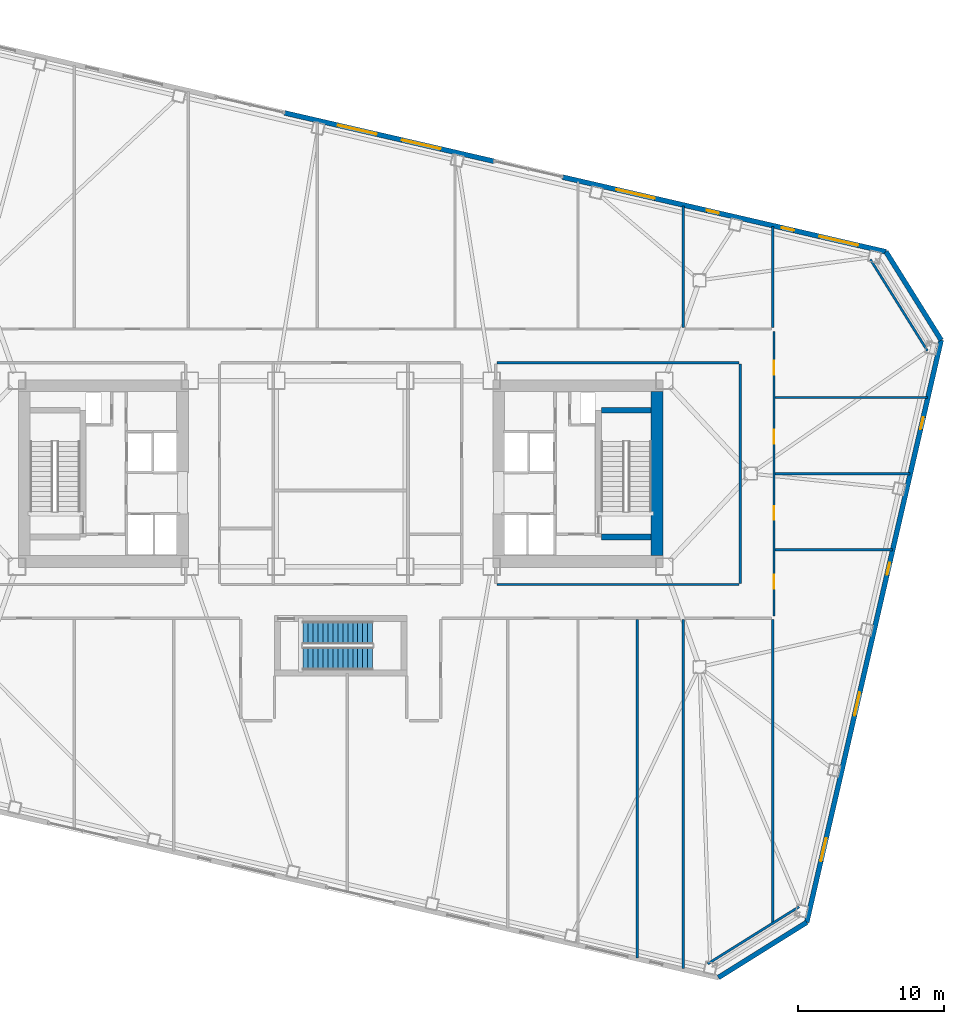
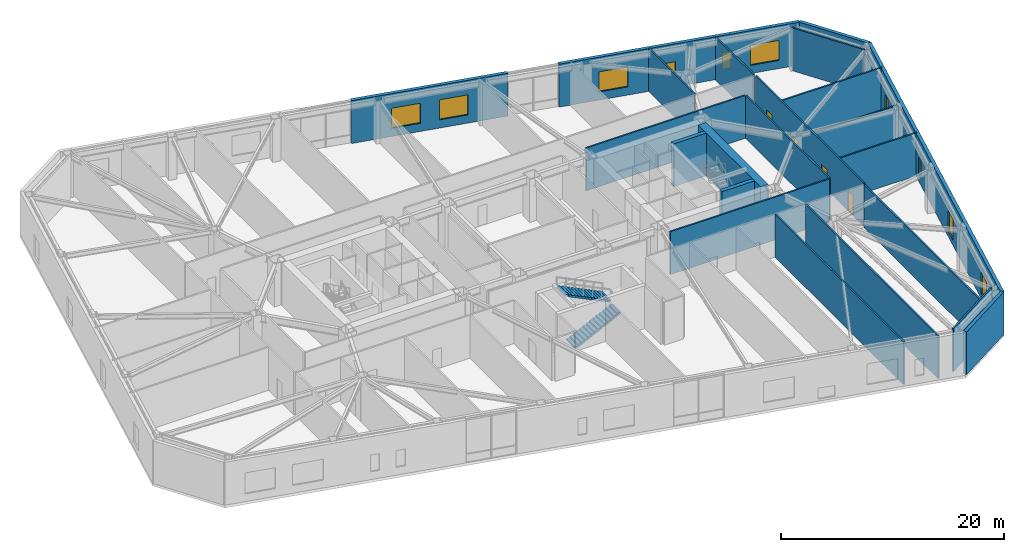
# One storey, part 13 of 20: 22 walls, 10 windows, 4 doors, 2 stair flights, 14 openings, 1 element without a shape of its own.
"""IFC4 building model written with IfcOpenShell, lengths in metres."""

from ifc_helpers import new_model, si_unit, direction, frame, frame_2d, origin, place, context, subcontext, project, spatial, polyline, rectangle, outline, extrude, material, layer, layer_set, type_object, element, fill, aggregate, save


model = new_model("IFC4")

# Units and contexts
model_context = context("Model", 3, precision=1e-05, world=origin(), true_north=direction((0.0, 1.0)))
body_context = subcontext(model_context, "Body", "Model", "MODEL_VIEW")
ifc_project = project(units=[si_unit("LENGTHUNIT", "METRE"), si_unit("AREAUNIT", "SQUARE_METRE"), si_unit("VOLUMEUNIT", "CUBIC_METRE"), si_unit("PLANEANGLEUNIT", "RADIAN"), si_unit("MASSUNIT", "GRAM", prefix="KILO")], contexts=[model_context])

# Site, building, storey
site_placement = place(None, origin())
site = spatial("IfcSite", under=ifc_project, at=site_placement, CompositionType="ELEMENT")
building_placement = place(site_placement, origin())
building = spatial("IfcBuilding", under=site, at=building_placement, Name="Tavrogorsk Clinical Tower", CompositionType="ELEMENT")
storey_placement = place(building_placement, frame((0.0, 0.0, 23.39990234375)))
storey = spatial("IfcBuildingStorey", under=building, at=storey_placement, Name="L04", CompositionType="ELEMENT", Elevation=23.39990234375)

# Walls
ifc_material_1 = material(Name="Lightweight concrete blockwork B15", Category="masonry")
ifc_layer_1 = layer(ifc_material_1, 0.159912109375)
ifc_layer_set_1 = layer_set([ifc_layer_1], Name="Lightweight concrete blockwork B15")
wall_type_1 = type_object("IfcWallType", Name="PartitionWall_160", PredefinedType="PARTITIONING", material=ifc_layer_set_1)
for number, where, z_axis, x_axis, name in (
    (1, (25.0595703125, -33.46826171875, 0.0), (0.0, 0.0, 1.0), (0.848043064089, 0.529927317139, 0.0), "L04 Corner Exoskeleton Brace Furring Wall 1"),
    (2, (40.059814453125, 8.389404296875, 0.0), (0.0, 0.0, 1.0), (-0.529927317139, 0.848043064089, 0.0), "L04 Corner Exoskeleton Brace Furring Wall 2"),
):
    element("IfcWall", number, at=place(storey_placement, frame(where, z_axis=z_axis, x_axis=x_axis)), inside=storey, type_object=wall_type_1, Name=name, PredefinedType="PARTITIONING", context=body_context, shape_type="SweptSolid", body=[
        extrude(rectangle(XDim=7.353759765625, YDim=0.159912109375, at=frame_2d((3.6767578125, 0.0))), origin(), (0.0, 0.0, 1.0), 4.7001953125),
    ])

# Wall, openings, doors
wall_1_placement = place(storey_placement, frame((29.580078125, 9.715087890625, 0.0), z_axis=(0.0, 0.0, 1.0), x_axis=(0.0, -1.0, 0.0)))
wall_1 = element("IfcWall", 3, at=wall_1_placement, inside=storey, type_object=wall_type_1, Name="L04 Corridor Partition 03", PredefinedType="PARTITIONING", context=body_context, shape_type="SweptSolid", body=[
    extrude(rectangle(XDim=19.43017578125, YDim=0.159912109375, at=frame_2d((9.715087890625, 0.0))), origin(), (0.0, 0.0, 1.0), 4.7001953125),
])
opening_1_placement = place(wall_1_placement, frame((16.630859375, 0.0, 0.0)))
opening_1 = element("IfcOpeningElement", 4, at=opening_1_placement, cuts=wall_1, Name="Opening ID-02", PredefinedType="OPENING", context=body_context, shape_type="SweptSolid", body=[
    extrude(rectangle(XDim=0.949951171875, YDim=2.199951171875, at=frame_2d((0.47509765625, 1.10009765625))), frame((0.0, 0.08984375, 0.0), z_axis=(0.0, -1.0, 0.0), x_axis=(1.0, 0.0, 0.0)), (0.0, 0.0, 1.0), 0.179931640625),
])
opening_2_placement = place(wall_1_placement, frame((11.925048828125, 0.0, 0.0)))
opening_2 = element("IfcOpeningElement", 5, at=opening_2_placement, cuts=wall_1, Name="Opening ID-02", PredefinedType="OPENING", context=body_context, shape_type="SweptSolid", body=[
    extrude(rectangle(XDim=0.949951171875, YDim=2.199951171875, at=frame_2d((0.47509765625, 1.10009765625))), frame((0.0, 0.08984375, 0.0), z_axis=(0.0, -1.0, 0.0), x_axis=(1.0, 0.0, 0.0)), (0.0, 0.0, 1.0), 0.179931640625),
])
opening_3_placement = place(wall_1_placement, frame((6.72509765625, 0.0, 0.0)))
opening_3 = element("IfcOpeningElement", 6, at=opening_3_placement, cuts=wall_1, Name="Opening ID-02", PredefinedType="OPENING", context=body_context, shape_type="SweptSolid", body=[
    extrude(rectangle(XDim=0.949951171875, YDim=2.199951171875, at=frame_2d((0.47509765625, 1.10009765625))), frame((0.0, 0.08984375, 0.0), z_axis=(0.0, -1.0, 0.0), x_axis=(1.0, 0.0, 0.0)), (0.0, 0.0, 1.0), 0.179931640625),
])
opening_4_placement = place(wall_1_placement, frame((2.01904296875, 0.0, 0.0)))
opening_4 = element("IfcOpeningElement", 7, at=opening_4_placement, cuts=wall_1, Name="Opening ID-02", PredefinedType="OPENING", context=body_context, shape_type="SweptSolid", body=[
    extrude(rectangle(XDim=0.949951171875, YDim=2.199951171875, at=frame_2d((0.47509765625, 1.10009765625))), frame((0.0, 0.08984375, 0.0), z_axis=(0.0, -1.0, 0.0), x_axis=(1.0, 0.0, 0.0)), (0.0, 0.0, 1.0), 0.179931640625),
])
ifc_material_2 = material(Name="Laminated timber leaf on aluminium frame", Category="wood")
door_type = type_object("IfcDoorType", Name="InteriorDoor_ID02_950", OperationType="NOTDEFINED", PredefinedType="DOOR", material=ifc_material_2)
door_1_placement = place(opening_1_placement, origin())
door_1 = element("IfcDoor", 8, at=door_1_placement, inside=storey, type_object=door_type, Name="L04 E Senior Clinician Suite 1 Door", OperationType="SINGLE_SWING_RIGHT", OverallHeight=2.199951171875, OverallWidth=0.949951171875, PredefinedType="DOOR", context=body_context, shape_type="SweptSolid", body=[
    extrude(rectangle(XDim=0.949951171875, YDim=2.199951171875, at=frame_2d((0.47509765625, 1.10009765625))), frame((0.0, 0.02490234375, 0.0), z_axis=(0.0, -1.0, 0.0), x_axis=(1.0, 0.0, 0.0)), (0.0, 0.0, 1.0), 0.050048828125),
])
fill(opening_1, door_1)
door_2_placement = place(opening_2_placement, origin())
door_2 = element("IfcDoor", 9, at=door_2_placement, inside=storey, type_object=door_type, Name="L04 E Multidisciplinary Seminar Suite 2 Door", OperationType="SINGLE_SWING_LEFT", OverallHeight=2.199951171875, OverallWidth=0.949951171875, PredefinedType="DOOR", context=body_context, shape_type="SweptSolid", body=[
    extrude(rectangle(XDim=0.949951171875, YDim=2.199951171875, at=frame_2d((0.47509765625, 1.10009765625))), frame((0.0, 0.02490234375, 0.0), z_axis=(0.0, -1.0, 0.0), x_axis=(1.0, 0.0, 0.0)), (0.0, 0.0, 1.0), 0.050048828125),
])
fill(opening_2, door_2)
door_3_placement = place(opening_3_placement, origin())
door_3 = element("IfcDoor", 10, at=door_3_placement, inside=storey, type_object=door_type, Name="L04 E Specialist Consultation Room 3 Door", OperationType="SINGLE_SWING_RIGHT", OverallHeight=2.199951171875, OverallWidth=0.949951171875, PredefinedType="DOOR", context=body_context, shape_type="SweptSolid", body=[
    extrude(rectangle(XDim=0.949951171875, YDim=2.199951171875, at=frame_2d((0.47509765625, 1.10009765625))), frame((0.0, 0.02490234375, 0.0), z_axis=(0.0, -1.0, 0.0), x_axis=(1.0, 0.0, 0.0)), (0.0, 0.0, 1.0), 0.050048828125),
])
fill(opening_3, door_3)
door_4_placement = place(opening_4_placement, origin())
door_4 = element("IfcDoor", 11, at=door_4_placement, inside=storey, type_object=door_type, Name="L04 E Clinical Fellows' Study 4 Door", OperationType="SINGLE_SWING_LEFT", OverallHeight=2.199951171875, OverallWidth=0.949951171875, PredefinedType="DOOR", context=body_context, shape_type="SweptSolid", body=[
    extrude(rectangle(XDim=0.949951171875, YDim=2.199951171875, at=frame_2d((0.47509765625, 1.10009765625))), frame((0.0, 0.02490234375, 0.0), z_axis=(0.0, -1.0, 0.0), x_axis=(1.0, 0.0, 0.0)), (0.0, 0.0, 1.0), 0.050048828125),
])
fill(opening_4, door_4)

# Walls
for number, where, z_axis, x_axis, name in (
    (12, (27.18505859375, 7.570068359375, 0.0), (0.0, 0.0, 1.0), (-1.0, 0.0, 0.0), "L04 Corridor Partition 12"),
    (13, (10.6650390625, -7.570068359375, 0.0), (0.0, 0.0, 1.0), (1.0, 0.0, 0.0), "L04 Corridor Partition 15"),
):
    element("IfcWall", number, at=place(storey_placement, frame(where, z_axis=z_axis, x_axis=x_axis)), inside=storey, type_object=wall_type_1, Name=name, PredefinedType="PARTITIONING", context=body_context, shape_type="SweptSolid", body=[
        extrude(rectangle(XDim=16.52001953125, YDim=0.159912109375, at=frame_2d((8.260009765625, 0.0))), origin(), (0.0, 0.0, 1.0), 4.7001953125),
    ])
wall_2_placement = place(storey_placement, frame((27.27001953125, -7.485107421875, 0.0), z_axis=(0.0, 0.0, 1.0), x_axis=(0.0, 1.0, 0.0)))
element("IfcWall", 14, at=wall_2_placement, inside=storey, type_object=wall_type_1, Name="L04 Corridor Partition 16", PredefinedType="PARTITIONING", context=body_context, shape_type="SweptSolid", body=[
    extrude(rectangle(XDim=14.97021484375, YDim=0.159912109375, at=frame_2d((7.485107421875, 0.0))), origin(), (0.0, 0.0, 1.0), 4.7001953125),
])
wall_3_placement = place(storey_placement, frame((29.5, 9.965087890625, 0.0), z_axis=(0.0, 0.0, 1.0), x_axis=(0.0, 1.0, 0.0)))
element("IfcWall", 15, at=wall_3_placement, inside=storey, type_object=wall_type_1, Name="L04 NE Wing Closure Partition", PredefinedType="PARTITIONING", context=body_context, shape_type="SweptSolid", body=[
    extrude(rectangle(XDim=6.897216796875, YDim=0.159912109375, at=frame_2d((3.44873046875, 0.0))), origin(), (0.0, 0.0, 1.0), 4.7001953125),
])
wall_4_placement = place(storey_placement, frame((29.5, -30.702880859375, 0.0), z_axis=(0.0, 0.0, 1.0), x_axis=(0.0, 1.0, 0.0)))
element("IfcWall", 16, at=wall_4_placement, inside=storey, type_object=wall_type_1, Name="L04 SE Wing Closure Partition", PredefinedType="PARTITIONING", context=body_context, shape_type="SweptSolid", body=[
    extrude(rectangle(XDim=20.73779296875, YDim=0.159912109375, at=frame_2d((10.368896484375, 0.0))), origin(), (0.0, 0.0, 1.0), 4.7001953125),
])
wall_5_placement = place(storey_placement, frame((23.39990234375, 9.965087890625, 0.0), z_axis=(0.0, 0.0, 1.0), x_axis=(0.0, 1.0, 0.0)))
element("IfcWall", 17, at=wall_5_placement, inside=storey, type_object=wall_type_1, Name="L04 North Room Partition 7", PredefinedType="PARTITIONING", context=body_context, shape_type="SweptSolid", body=[
    extrude(rectangle(XDim=8.3056640625, YDim=0.159912109375, at=frame_2d((4.15283203125, 0.0))), origin(), (0.0, 0.0, 1.0), 4.7001953125),
])
wall_6_placement = place(storey_placement, frame((23.39990234375, -33.783447265625, 0.0), z_axis=(0.0, 0.0, 1.0), x_axis=(0.0, 1.0, 0.0)))
element("IfcWall", 18, at=wall_6_placement, inside=storey, type_object=wall_type_1, Name="L04 South Room Partition 6", PredefinedType="PARTITIONING", context=body_context, shape_type="SweptSolid", body=[
    extrude(rectangle(XDim=23.818359375, YDim=0.159912109375, at=frame_2d((11.9091796875, 0.0))), origin(), (0.0, 0.0, 1.0), 4.7001953125),
])
wall_7_placement = place(storey_placement, frame((20.25, -33.05615234375, 0.0), z_axis=(0.0, 0.0, 1.0), x_axis=(0.0, 1.0, 0.0)))
element("IfcWall", 19, at=wall_7_placement, inside=storey, type_object=wall_type_1, Name="L04 South Sub-Partition 6", PredefinedType="PARTITIONING", context=body_context, shape_type="SweptSolid", body=[
    extrude(rectangle(XDim=23.091064453125, YDim=0.159912109375, at=frame_2d((11.54541015625, 0.0))), origin(), (0.0, 0.0, 1.0), 4.7001953125),
])
wall_8_placement = place(storey_placement, frame((29.6650390625, -5.199951171875, 0.0), z_axis=(0.0, 0.0, 1.0), x_axis=(1.0, 0.0, 0.0)))
element("IfcWall", 20, at=wall_8_placement, inside=storey, type_object=wall_type_1, Name="L04 E Wing Divider 1", PredefinedType="PARTITIONING", context=body_context, shape_type="SweptSolid", body=[
    extrude(rectangle(XDim=8.007080078125, YDim=0.159912109375, at=frame_2d((4.00341796875, 0.0))), origin(), (0.0, 0.0, 1.0), 4.7001953125),
])
wall_9_placement = place(storey_placement, frame((29.6650390625, 0.0, 0.0), z_axis=(0.0, 0.0, 1.0), x_axis=(1.0, 0.0, 0.0)))
element("IfcWall", 21, at=wall_9_placement, inside=storey, type_object=wall_type_1, Name="L04 E Wing Divider 2", PredefinedType="PARTITIONING", context=body_context, shape_type="SweptSolid", body=[
    extrude(rectangle(XDim=9.207763671875, YDim=0.159912109375, at=frame_2d((4.60400390625, 0.0))), origin(), (0.0, 0.0, 1.0), 4.195068359375),
])
wall_10_placement = place(storey_placement, frame((29.6650390625, 5.199951171875, 0.0), z_axis=(0.0, 0.0, 1.0), x_axis=(1.0, 0.0, 0.0)))
element("IfcWall", 22, at=wall_10_placement, inside=storey, type_object=wall_type_1, Name="L04 E Wing Divider 3", PredefinedType="PARTITIONING", context=body_context, shape_type="SweptSolid", body=[
    extrude(rectangle(XDim=10.408203125, YDim=0.159912109375, at=frame_2d((5.2041015625, 0.0))), origin(), (0.0, 0.0, 1.0), 4.7001953125),
])

# Wall, openings, windows
ifc_material_3 = material(Name="Precast concrete B45 with limestone cladding", Category="masonry")
ifc_layer_2 = layer(ifc_material_3, 0.340087890625)
ifc_layer_set_2 = layer_set([ifc_layer_2], Name="Precast concrete B45 with limestone cladding")
wall_type_2 = type_object("IfcWallType", Name="PrecastLimestoneWall_340", PredefinedType="STANDARD", material=ifc_layer_set_2)
wall_11_placement = place(storey_placement, frame((37.228515625, 15.14990234375, 0.0), z_axis=(0.0, 0.0, 1.0), x_axis=(-0.97436993772, 0.224951604723, 0.0)))
wall_11 = element("IfcWall", 23, at=wall_11_placement, inside=storey, type_object=wall_type_2, Name="L04 N Limestone Facade Wall 1", PredefinedType="STANDARD", context=body_context, shape_type="SweptSolid", body=[
    extrude(rectangle(XDim=22.6513671875, YDim=0.340087890625, at=frame_2d((11.32568359375, 0.0))), origin(), (0.0, 0.0, 1.0), 4.7001953125),
])
opening_5_placement = place(wall_11_placement, frame((16.195068359375, 0.0, 0.89990234375)))
opening_5 = element("IfcOpeningElement", 24, at=opening_5_placement, cuts=wall_11, Name="Opening WN-02", PredefinedType="OPENING", context=body_context, shape_type="SweptSolid", body=[
    extrude(rectangle(XDim=2.699951171875, YDim=2.199951171875, at=frame_2d((1.35009765625, 1.10009765625))), frame((0.0, 0.179931640625, 0.0), z_axis=(0.0, -1.0, 0.0), x_axis=(1.0, 0.0, 0.0)), (0.0, 0.0, 1.0), 0.360107421875),
])
opening_6_placement = place(wall_11_placement, frame((11.710693359375, 0.0, 0.89990234375)))
opening_6 = element("IfcOpeningElement", 25, at=opening_6_placement, cuts=wall_11, Name="Opening WN-06", PredefinedType="OPENING", context=body_context, shape_type="SweptSolid", body=[
    extrude(rectangle(XDim=0.85009765625, YDim=1.85009765625, at=frame_2d((0.425048828125, 0.925048828125))), frame((0.0, 0.179931640625, 0.0), z_axis=(0.0, -1.0, 0.0), x_axis=(1.0, 0.0, 0.0)), (0.0, 0.0, 1.0), 0.360107421875),
])
opening_7_placement = place(wall_11_placement, frame((6.446533203125, 0.0, 0.89990234375)))
opening_7 = element("IfcOpeningElement", 26, at=opening_7_placement, cuts=wall_11, Name="Opening WN-06", PredefinedType="OPENING", context=body_context, shape_type="SweptSolid", body=[
    extrude(rectangle(XDim=0.85009765625, YDim=1.85009765625, at=frame_2d((0.425048828125, 0.925048828125))), frame((0.0, 0.179931640625, 0.0), z_axis=(0.0, -1.0, 0.0), x_axis=(1.0, 0.0, 0.0)), (0.0, 0.0, 1.0), 0.360107421875),
])
opening_8_placement = place(wall_11_placement, frame((1.962158203125, 0.0, 0.89990234375)))
opening_8 = element("IfcOpeningElement", 27, at=opening_8_placement, cuts=wall_11, Name="Opening WN-02", PredefinedType="OPENING", context=body_context, shape_type="SweptSolid", body=[
    extrude(rectangle(XDim=2.699951171875, YDim=2.199951171875, at=frame_2d((1.35009765625, 1.10009765625))), frame((0.0, 0.179931640625, 0.0), z_axis=(0.0, -1.0, 0.0), x_axis=(1.0, 0.0, 0.0)), (0.0, 0.0, 1.0), 0.360107421875),
])
ifc_material_4 = material(Name="Thermally broken aluminium frame and triple IGU", Category="aluminium")
window_type_1 = type_object("IfcWindowType", Name="MullionSubWin_850x1850", PartitioningType="SINGLE_PANEL", PredefinedType="WINDOW", material=ifc_material_4)
window_1_placement = place(opening_6_placement, origin())
window_1 = element("IfcWindow", 28, at=window_1_placement, inside=storey, type_object=window_type_1, Name="L04 N Mullion Split Window 08A", OverallHeight=1.85009765625, OverallWidth=0.85009765625, PartitioningType="SINGLE_PANEL", PredefinedType="WINDOW", context=body_context, shape_type="SweptSolid", body=[
    extrude(rectangle(XDim=0.85009765625, YDim=1.85009765625, at=frame_2d((0.425048828125, 0.925048828125))), frame((0.0, 0.030029296875, 0.0), z_axis=(0.0, -1.0, 0.0), x_axis=(1.0, 0.0, 0.0)), (0.0, 0.0, 1.0), 0.06005859375),
])
fill(opening_6, window_1)
window_2_placement = place(opening_7_placement, origin())
window_2 = element("IfcWindow", 29, at=window_2_placement, inside=storey, type_object=window_type_1, Name="L04 N Mullion Split Window 09A", OverallHeight=1.85009765625, OverallWidth=0.85009765625, PartitioningType="SINGLE_PANEL", PredefinedType="WINDOW", context=body_context, shape_type="SweptSolid", body=[
    extrude(rectangle(XDim=0.85009765625, YDim=1.85009765625, at=frame_2d((0.425048828125, 0.925048828125))), frame((0.0, 0.030029296875, 0.0), z_axis=(0.0, -1.0, 0.0), x_axis=(1.0, 0.0, 0.0)), (0.0, 0.0, 1.0), 0.06005859375),
])
fill(opening_7, window_2)
ifc_material_5 = material(Name="Thermally broken aluminium frame and triple IGU", Category="aluminium")
window_type_2 = type_object("IfcWindowType", Name="WardChicagoWin_2700x2200", PartitioningType="TRIPLE_PANEL_HORIZONTAL", PredefinedType="WINDOW", material=ifc_material_5)
window_3_placement = place(opening_5_placement, origin())
window_3 = element("IfcWindow", 30, at=window_3_placement, inside=storey, type_object=window_type_2, Name="L04 N Chicago Window 07", OverallHeight=2.199951171875, OverallWidth=2.699951171875, PartitioningType="SINGLE_PANEL", PredefinedType="WINDOW", context=body_context, shape_type="SweptSolid", body=[
    extrude(rectangle(XDim=2.699951171875, YDim=2.199951171875, at=frame_2d((1.35009765625, 1.10009765625))), frame((0.0, 0.030029296875, 0.0), z_axis=(0.0, -1.0, 0.0), x_axis=(1.0, 0.0, 0.0)), (0.0, 0.0, 1.0), 0.06005859375),
])
fill(opening_5, window_3)
window_4_placement = place(opening_8_placement, origin())
window_4 = element("IfcWindow", 31, at=window_4_placement, inside=storey, type_object=window_type_2, Name="L04 N Chicago Window 10", OverallHeight=2.199951171875, OverallWidth=2.699951171875, PartitioningType="SINGLE_PANEL", PredefinedType="WINDOW", context=body_context, shape_type="SweptSolid", body=[
    extrude(rectangle(XDim=2.699951171875, YDim=2.199951171875, at=frame_2d((1.35009765625, 1.10009765625))), frame((0.0, 0.030029296875, 0.0), z_axis=(0.0, -1.0, 0.0), x_axis=(1.0, 0.0, 0.0)), (0.0, 0.0, 1.0), 0.06005859375),
])
fill(opening_8, window_4)

wall_12_placement = place(storey_placement, frame((10.480712890625, 21.3251953125, 0.0), z_axis=(0.0, 0.0, 1.0), x_axis=(-0.974369353393, 0.2249541357, 0.0)))
wall_12 = element("IfcWall", 32, at=wall_12_placement, inside=storey, type_object=wall_type_2, Name="L04 N Limestone Facade Wall 2", PredefinedType="STANDARD", context=body_context, shape_type="SweptSolid", body=[
    extrude(rectangle(XDim=14.697021484375, YDim=0.340087890625, at=frame_2d((7.3486328125, 0.0))), origin(), (0.0, 0.0, 1.0), 4.7001953125),
])
opening_9_placement = place(wall_12_placement, frame((8.24072265625, 0.0, 0.89990234375)))
opening_9 = element("IfcOpeningElement", 33, at=opening_9_placement, cuts=wall_12, Name="Opening WN-02", PredefinedType="OPENING", context=body_context, shape_type="SweptSolid", body=[
    extrude(rectangle(XDim=2.699951171875, YDim=2.199951171875, at=frame_2d((1.35009765625, 1.10009765625))), frame((0.0, 0.179931640625, 0.0), z_axis=(0.0, -1.0, 0.0), x_axis=(1.0, 0.0, 0.0)), (0.0, 0.0, 1.0), 0.360107421875),
])
opening_10_placement = place(wall_12_placement, frame((3.75634765625, 0.0, 0.89990234375)))
opening_10 = element("IfcOpeningElement", 34, at=opening_10_placement, cuts=wall_12, Name="Opening WN-02", PredefinedType="OPENING", context=body_context, shape_type="SweptSolid", body=[
    extrude(rectangle(XDim=2.699951171875, YDim=2.199951171875, at=frame_2d((1.35009765625, 1.10009765625))), frame((0.0, 0.179931640625, 0.0), z_axis=(0.0, -1.0, 0.0), x_axis=(1.0, 0.0, 0.0)), (0.0, 0.0, 1.0), 0.360107421875),
])
window_5_placement = place(opening_9_placement, origin())
window_5 = element("IfcWindow", 35, at=window_5_placement, inside=storey, type_object=window_type_2, Name="L04 N Chicago Window 05", OverallHeight=2.199951171875, OverallWidth=2.699951171875, PartitioningType="SINGLE_PANEL", PredefinedType="WINDOW", context=body_context, shape_type="SweptSolid", body=[
    extrude(rectangle(XDim=2.699951171875, YDim=2.199951171875, at=frame_2d((1.35009765625, 1.10009765625))), frame((0.0, 0.030029296875, 0.0), z_axis=(0.0, -1.0, 0.0), x_axis=(1.0, 0.0, 0.0)), (0.0, 0.0, 1.0), 0.06005859375),
])
fill(opening_9, window_5)
window_6_placement = place(opening_10_placement, origin())
window_6 = element("IfcWindow", 36, at=window_6_placement, inside=storey, type_object=window_type_2, Name="L04 N Chicago Window 06", OverallHeight=2.199951171875, OverallWidth=2.699951171875, PartitioningType="SINGLE_PANEL", PredefinedType="WINDOW", context=body_context, shape_type="SweptSolid", body=[
    extrude(rectangle(XDim=2.699951171875, YDim=2.199951171875, at=frame_2d((1.35009765625, 1.10009765625))), frame((0.0, 0.030029296875, 0.0), z_axis=(0.0, -1.0, 0.0), x_axis=(1.0, 0.0, 0.0)), (0.0, 0.0, 1.0), 0.06005859375),
])
fill(opening_10, window_6)

wall_13_placement = place(storey_placement, frame((31.820068359375, -30.636962890625, 0.0), z_axis=(0.0, 0.0, 1.0), x_axis=(0.224949969076, 0.974370315338, 0.0)))
wall_13 = element("IfcWall", 37, at=wall_13_placement, inside=storey, type_object=wall_type_2, Name="L04 E Pleated Limestone Wing Wall", PredefinedType="STANDARD", context=body_context, shape_type="SweptSolid", body=[
    extrude(rectangle(XDim=40.800048828125, YDim=0.340087890625, at=frame_2d((20.39990234375, 0.0))), origin(), (0.0, 0.0, 1.0), 4.7001953125),
])
opening_11_placement = place(wall_13_placement, frame((4.300048828125, 0.0, 0.580078125)))
opening_11 = element("IfcOpeningElement", 38, at=opening_11_placement, cuts=wall_13, Name="Opening WN-07", PredefinedType="OPENING", context=body_context, shape_type="SweptSolid", body=[
    extrude(rectangle(XDim=1.60009765625, YDim=2.300048828125, at=frame_2d((0.800048828125, 1.14990234375))), frame((0.0, 0.179931640625, 0.0), z_axis=(0.0, -1.0, 0.0), x_axis=(1.0, 0.0, 0.0)), (0.0, 0.0, 1.0), 0.360107421875),
])
opening_12_placement = place(wall_13_placement, frame((14.5, 0.0, 0.580078125)))
opening_12 = element("IfcOpeningElement", 39, at=opening_12_placement, cuts=wall_13, Name="Opening WN-07", PredefinedType="OPENING", context=body_context, shape_type="SweptSolid", body=[
    extrude(rectangle(XDim=1.60009765625, YDim=2.300048828125, at=frame_2d((0.800048828125, 1.14990234375))), frame((0.0, 0.179931640625, 0.0), z_axis=(0.0, -1.0, 0.0), x_axis=(1.0, 0.0, 0.0)), (0.0, 0.0, 1.0), 0.360107421875),
])
opening_13_placement = place(wall_13_placement, frame((24.35009765625, 0.0, 0.75)))
opening_13 = element("IfcOpeningElement", 40, at=opening_13_placement, cuts=wall_13, Name="Opening WN-06", PredefinedType="OPENING", context=body_context, shape_type="SweptSolid", body=[
    extrude(rectangle(XDim=0.85009765625, YDim=1.85009765625, at=frame_2d((0.425048828125, 0.925048828125))), frame((0.0, 0.179931640625, 0.0), z_axis=(0.0, -1.0, 0.0), x_axis=(1.0, 0.0, 0.0)), (0.0, 0.0, 1.0), 0.360107421875),
])
opening_14_placement = place(wall_13_placement, frame((34.550048828125, 0.0, 0.75)))
opening_14 = element("IfcOpeningElement", 41, at=opening_14_placement, cuts=wall_13, Name="Opening WN-06", PredefinedType="OPENING", context=body_context, shape_type="SweptSolid", body=[
    extrude(rectangle(XDim=0.85009765625, YDim=1.85009765625, at=frame_2d((0.425048828125, 0.925048828125))), frame((0.0, 0.179931640625, 0.0), z_axis=(0.0, -1.0, 0.0), x_axis=(1.0, 0.0, 0.0)), (0.0, 0.0, 1.0), 0.360107421875),
])
window_7_placement = place(opening_13_placement, origin())
window_7 = element("IfcWindow", 42, at=window_7_placement, inside=storey, type_object=window_type_1, Name="L04 E Pleat Mullion Window 3A", OverallHeight=1.85009765625, OverallWidth=0.85009765625, PartitioningType="SINGLE_PANEL", PredefinedType="WINDOW", context=body_context, shape_type="SweptSolid", body=[
    extrude(rectangle(XDim=0.85009765625, YDim=1.85009765625, at=frame_2d((0.425048828125, 0.925048828125))), frame((0.0, 0.030029296875, 0.0), z_axis=(0.0, -1.0, 0.0), x_axis=(1.0, 0.0, 0.0)), (0.0, 0.0, 1.0), 0.06005859375),
])
fill(opening_13, window_7)
window_8_placement = place(opening_14_placement, origin())
window_8 = element("IfcWindow", 43, at=window_8_placement, inside=storey, type_object=window_type_1, Name="L04 E Pleat Mullion Window 4A", OverallHeight=1.85009765625, OverallWidth=0.85009765625, PartitioningType="SINGLE_PANEL", PredefinedType="WINDOW", context=body_context, shape_type="SweptSolid", body=[
    extrude(rectangle(XDim=0.85009765625, YDim=1.85009765625, at=frame_2d((0.425048828125, 0.925048828125))), frame((0.0, 0.030029296875, 0.0), z_axis=(0.0, -1.0, 0.0), x_axis=(1.0, 0.0, 0.0)), (0.0, 0.0, 1.0), 0.06005859375),
])
fill(opening_14, window_8)
ifc_material_6 = material(Name="Thermally broken aluminium frame and triple IGU", Category="aluminium")
window_type_3 = type_object("IfcWindowType", Name="PleatSlotWin_1600x2300", PartitioningType="SINGLE_PANEL", PredefinedType="WINDOW", material=ifc_material_6)
window_9_placement = place(opening_11_placement, origin())
window_9 = element("IfcWindow", 44, at=window_9_placement, inside=storey, type_object=window_type_3, Name="L04 E Pleat Slot Window 1", OverallHeight=2.300048828125, OverallWidth=1.60009765625, PartitioningType="SINGLE_PANEL", PredefinedType="WINDOW", context=body_context, shape_type="SweptSolid", body=[
    extrude(rectangle(XDim=1.60009765625, YDim=2.300048828125, at=frame_2d((0.800048828125, 1.14990234375))), frame((0.0, 0.030029296875, 0.0), z_axis=(0.0, -1.0, 0.0), x_axis=(1.0, 0.0, 0.0)), (0.0, 0.0, 1.0), 0.06005859375),
])
fill(opening_11, window_9)
window_10_placement = place(opening_12_placement, origin())
window_10 = element("IfcWindow", 45, at=window_10_placement, inside=storey, type_object=window_type_3, Name="L04 E Pleat Slot Window 2", OverallHeight=2.300048828125, OverallWidth=1.60009765625, PartitioningType="SINGLE_PANEL", PredefinedType="WINDOW", context=body_context, shape_type="SweptSolid", body=[
    extrude(rectangle(XDim=1.60009765625, YDim=2.300048828125, at=frame_2d((0.800048828125, 1.14990234375))), frame((0.0, 0.030029296875, 0.0), z_axis=(0.0, -1.0, 0.0), x_axis=(1.0, 0.0, 0.0)), (0.0, 0.0, 1.0), 0.06005859375),
])
fill(opening_12, window_10)

# Walls
for number, where, z_axis, x_axis, name in (
    (46, (25.78759765625, -34.406494140625, 0.0), (0.0, 0.0, 1.0), (0.848046504656, 0.529921811158, 0.0), "L04 Chamfered Corner Wall 1"),
    (47, (40.998046875, 9.117431640625, 0.0), (0.0, 0.0, 1.0), (-0.529921811158, 0.848046504656, 0.0), "L04 Chamfered Corner Wall 2"),
):
    element("IfcWall", number, at=place(storey_placement, frame(where, z_axis=z_axis, x_axis=x_axis)), inside=storey, type_object=wall_type_2, Name=name, PredefinedType="STANDARD", context=body_context, shape_type="SweptSolid", body=[
        extrude(rectangle(XDim=7.11328125, YDim=0.340087890625, at=frame_2d((3.556640625, 0.0))), origin(), (0.0, 0.0, 1.0), 4.7001953125),
    ])
ifc_material_7 = material(Name="Concrete B80", Category="concrete")
ifc_layer_3 = layer(ifc_material_7, 0.39990234375)
ifc_layer_set_3 = layer_set([ifc_layer_3], Name="Concrete B80")
wall_type_3 = type_object("IfcWallType", Name="ShearWall_400", PredefinedType="SHEAR", material=ifc_layer_set_3)
for number, where, z_axis, x_axis, name in (
    (48, (17.800048828125, -4.324951171875, 0.0), (0.0, 0.0, 1.0), (1.0, 0.0, 0.0), "L04 Core East Stair Shaft South Shear Wall"),
    (49, (17.800048828125, 4.324951171875, 0.0), (0.0, 0.0, 1.0), (1.0, 0.0, 0.0), "L04 Core East Stair Shaft North Shear Wall"),
):
    element("IfcWall", number, at=place(storey_placement, frame(where, z_axis=z_axis, x_axis=x_axis)), inside=storey, type_object=wall_type_3, Name=name, PredefinedType="SHEAR", context=body_context, shape_type="SweptSolid", body=[
        extrude(rectangle(XDim=3.39990234375, YDim=0.39990234375, at=frame_2d((1.699951171875, 0.0))), origin(), (0.0, 0.0, 1.0), 4.7001953125),
    ])
ifc_material_8 = material(Name="Concrete B80", Category="concrete")
ifc_layer_4 = layer(ifc_material_8, 0.800048828125)
ifc_layer_set_4 = layer_set([ifc_layer_4], Name="Concrete B80")
wall_type_4 = type_object("IfcWallType", Name="ShearWall_800", PredefinedType="SHEAR", material=ifc_layer_set_4)
wall_14_placement = place(storey_placement, frame((21.60009765625, -5.60009765625, 0.0), z_axis=(0.0, 0.0, 1.0), x_axis=(0.0, 1.0, 0.0)))
element("IfcWall", 50, at=wall_14_placement, inside=storey, type_object=wall_type_4, Name="L04 Core East End Shear Wall", PredefinedType="SHEAR", context=body_context, shape_type="SweptSolid", body=[
    extrude(rectangle(XDim=11.2001953125, YDim=0.800048828125, at=frame_2d((5.60009765625, 0.0))), origin(), (0.0, 0.0, 1.0), 4.7001953125),
])

# Stair, stair flights
ifc_material_9 = material(Name="Concrete B60", Category="concrete")
stair_type = type_object("IfcStairType", Name="CoreStairAssembly", PredefinedType="HALF_TURN_STAIR", material=ifc_material_9)
stair_placement = place(storey_placement, origin())
stair = element("IfcStair", 51, at=stair_placement, inside=storey, type_object=stair_type, Name="L04 ST-P", PredefinedType="HALF_TURN_STAIR")
ifc_material_10 = material(Name="Concrete B60", Category="concrete")
stair_flight_type = type_object("IfcStairFlightType", Name="CoreStairFlight", PredefinedType="STRAIGHT", material=ifc_material_10)
stair_flight_1_placement = place(storey_placement, frame((-2.574951171875, -12.625, 0.0), z_axis=(0.0, 0.0, 1.0), x_axis=(1.0, 0.0, 0.0)))
stair_flight_1 = element("IfcStairFlight", 52, at=stair_flight_1_placement, type_object=stair_flight_type, Name="ST-P flight 1", NumberOfRisers=15, NumberOfTreads=14, PredefinedType="STRAIGHT", RiserHeight=0.166666667, TreadLength=0.34, context=body_context, shape_type="SweptSolid", body=[
    extrude(outline(polyline([(0.0, 0.0), (0.0, 0.166748046875), (0.340087890625, 0.166748046875), (0.340087890625, 0.333251953125), (0.679931640625, 0.333251953125), (0.679931640625, 0.5), (1.02001953125, 0.5), (1.02001953125, 0.666748046875), (1.360107421875, 0.666748046875), (1.360107421875, 0.833251953125), (1.699951171875, 0.833251953125), (1.699951171875, 1.0), (2.0400390625, 1.0), (2.0400390625, 1.166748046875), (2.3798828125, 1.166748046875), (2.3798828125, 1.333251953125), (2.719970703125, 1.333251953125), (2.719970703125, 1.5), (3.06005859375, 1.5), (3.06005859375, 1.666748046875), (3.39990234375, 1.666748046875), (3.39990234375, 1.833251953125), (3.739990234375, 1.833251953125), (3.739990234375, 2.0), (4.080078125, 2.0), (4.080078125, 2.166748046875), (4.419921875, 2.166748046875), (4.419921875, 2.333251953125), (4.760009765625, 2.333251953125), (4.760009765625, 2.5), (4.760009765625, 2.16650390625), (0.340576171875, 0.0), (0.0, 0.0)])), frame((0.0, 0.77490234375, 0.0), z_axis=(0.0, -1.0, 0.0), x_axis=(1.0, 0.0, 0.0)), (0.0, 0.0, 1.0), 1.550048828125),
])
stair_flight_2_placement = place(storey_placement, frame((2.18505859375, -10.875, 2.5), z_axis=(0.0, 0.0, 1.0), x_axis=(-1.0, 0.0, 0.0)))
stair_flight_2 = element("IfcStairFlight", 53, at=stair_flight_2_placement, type_object=stair_flight_type, Name="ST-P flight 2", NumberOfRisers=15, NumberOfTreads=14, PredefinedType="STRAIGHT", RiserHeight=0.166666667, TreadLength=0.34, context=body_context, shape_type="SweptSolid", body=[
    extrude(outline(polyline([(0.0, 0.0), (0.0, 0.166748046875), (0.340087890625, 0.166748046875), (0.340087890625, 0.333251953125), (0.679931640625, 0.333251953125), (0.679931640625, 0.5), (1.02001953125, 0.5), (1.02001953125, 0.666748046875), (1.360107421875, 0.666748046875), (1.360107421875, 0.833251953125), (1.699951171875, 0.833251953125), (1.699951171875, 1.0), (2.0400390625, 1.0), (2.0400390625, 1.166748046875), (2.3798828125, 1.166748046875), (2.3798828125, 1.333251953125), (2.719970703125, 1.333251953125), (2.719970703125, 1.5), (3.06005859375, 1.5), (3.06005859375, 1.666748046875), (3.39990234375, 1.666748046875), (3.39990234375, 1.833251953125), (3.739990234375, 1.833251953125), (3.739990234375, 2.0), (4.080078125, 2.0), (4.080078125, 2.166748046875), (4.419921875, 2.166748046875), (4.419921875, 2.333251953125), (4.760009765625, 2.333251953125), (4.760009765625, 2.5), (4.760009765625, 2.16650390625), (0.340576171875, 0.0), (0.0, 0.0)])), frame((0.0, 0.77490234375, 0.0), z_axis=(0.0, -1.0, 0.0), x_axis=(1.0, 0.0, 0.0)), (0.0, 0.0, 1.0), 1.550048828125),
])
aggregate(stair, [stair_flight_1, stair_flight_2])

save(model, "model.ifc")
